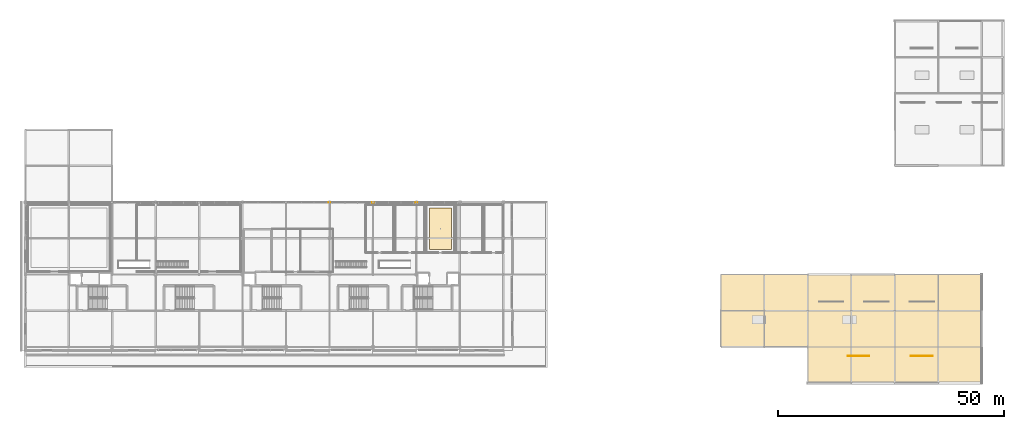
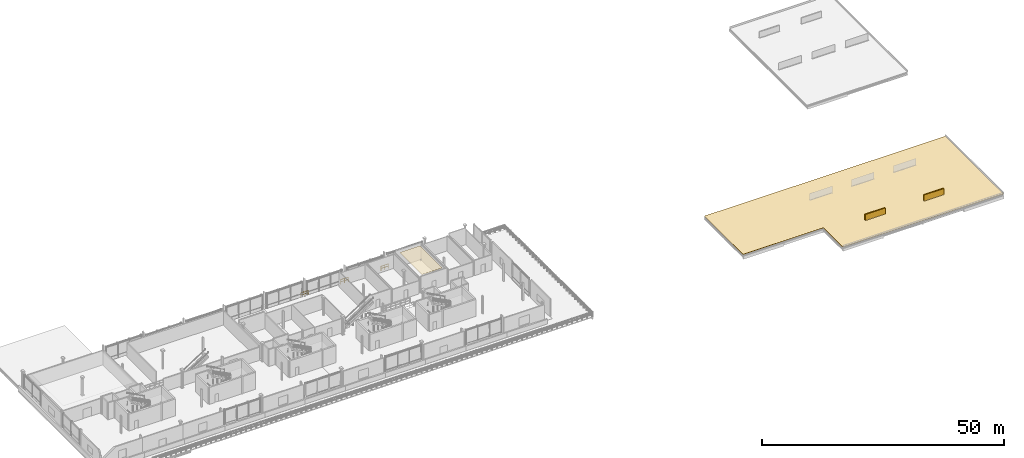
# One storey, part 35 of 36: 3 railings, 2 coverings, 2 shading devices.
"""IFC4 building model written with IfcOpenShell, lengths in metres."""

from ifc_helpers import new_model, si_unit, direction, frame, origin, origin_2d, place, context, subcontext, project, spatial, polyline, rectangle, circle, outline, extrude, material, layer, layer_set, type_object, element, save


model = new_model("IFC4")

# Units and contexts
model_context = context("Model", 3, precision=1e-05, world=origin(), true_north=direction((0.0, 1.0)))
body_context = subcontext(model_context, "Body", "Model", "MODEL_VIEW")
ifc_project = project(units=[si_unit("LENGTHUNIT", "METRE"), si_unit("AREAUNIT", "SQUARE_METRE"), si_unit("VOLUMEUNIT", "CUBIC_METRE"), si_unit("PLANEANGLEUNIT", "RADIAN"), si_unit("MASSUNIT", "GRAM", prefix="KILO")], contexts=[model_context])

# Site, building, storey
site_placement = place(None, origin())
site = spatial("IfcSite", under=ifc_project, at=site_placement, CompositionType="ELEMENT")
building_placement = place(site_placement, origin())
building = spatial("IfcBuilding", under=site, at=building_placement, Name="Danafjord Basin Convention Centre", CompositionType="ELEMENT")
storey_placement = place(building_placement, frame((0.0, 0.0, 20.39990234375)))
storey = spatial("IfcBuildingStorey", under=building, at=storey_placement, Name="L04", CompositionType="ELEMENT", Elevation=20.39990234375)

# Coverings
ifc_material_1 = material(Name="Acoustic mineral-fibre tile ceiling")
ifc_layer_1 = layer(ifc_material_1, 0.030029296875)
ifc_layer_set_1 = layer_set([ifc_layer_1], Name="Acoustic mineral-fibre tile ceiling")
covering_type_1 = type_object("IfcCoveringType", Name="COV-CLG-GYP01", PredefinedType="CEILING", material=ifc_layer_set_1)
covering_1_placement = place(storey_placement, frame((0.0, 0.0, 4.0)))
element("IfcCovering", 1, at=covering_1_placement, inside=storey, type_object=covering_type_1, Name="Ambassadors Conference Lounge acoustic ceiling", PredefinedType="CEILING", context=body_context, shape_type="SweptSolid", body=[
    extrude(outline(polyline([(94.10009765625, 38.699951171875), (94.10009765625, 29.5), (89.300048828125, 29.5), (89.300048828125, 38.699951171875), (94.10009765625, 38.699951171875)])), origin(), (0.0, 0.0, 1.0), 0.030029296875),
])
ifc_material_2 = material(Name="EPDM insulated roof membrane")
ifc_layer_2 = layer(ifc_material_2, 0.06005859375)
ifc_layer_set_2 = layer_set([ifc_layer_2], Name="EPDM insulated roof membrane")
covering_type_2 = type_object("IfcCoveringType", Name="COV-ROOF-EPDM", PredefinedType="ROOFING", material=ifc_layer_set_2)
covering_2_placement = place(storey_placement, frame((0.0, 0.0, -0.419921875)))
element("IfcCovering", 2, at=covering_2_placement, inside=storey, type_object=covering_type_2, Name="L04 roof membrane RF-FLAT-V5", PredefinedType="ROOFING", context=body_context, shape_type="SweptSolid", body=[
    extrude(outline(polyline([(153.60009765625, 8.0), (153.60009765625, 24.0), (211.199951171875, 24.0), (211.199951171875, 0.0), (172.800048828125, 0.0), (172.800048828125, 8.0), (153.60009765625, 8.0)])), origin(), (0.0, 0.0, 1.0), 0.06005859375),
])

# Railings
ifc_material_3 = material(Name="Laminated structural glass and stainless steel", Category="steel")
railing_type = type_object("IfcRailingType", Name="RL-BAL-GLS", PredefinedType="BALUSTRADE", material=ifc_material_3)
for number, where, name in (
    (3, (66.320068359375, 39.919921875, 0.0), "L04 safety guard balustrade 284"),
    (4, (75.919921875, 39.919921875, 0.0), "L04 safety guard balustrade 285"),
    (5, (85.52001953125, 39.919921875, 0.0), "L04 safety guard balustrade 286"),
):
    element("IfcRailing", number, at=place(storey_placement, frame(where)), inside=storey, type_object=railing_type, Name=name, PredefinedType="BALUSTRADE", context=body_context, shape_type="SweptSolid", body=[
        extrude(circle(Radius=0.02392578125, at=origin_2d()), frame((0.0, 0.0, 1.1259765625), z_axis=(1.0, 0.0, 0.0), x_axis=(0.0, 1.0, 0.0)), (0.0, 0.0, 1.0), 1.760009765625),
        extrude(circle(Radius=0.02392578125, at=origin_2d()), frame((0.0, 0.0, 0.55078125), z_axis=(1.0, 0.0, 0.0), x_axis=(0.0, 1.0, 0.0)), (0.0, 0.0, 1.0), 1.760009765625),
        extrude(circle(Radius=0.02099609375, at=origin_2d()), origin(), (0.0, 0.0, 1.0), 1.099853515625),
        extrude(circle(Radius=0.02099609375, at=origin_2d()), frame((0.8798828125, 0.0, 0.0)), (0.0, 0.0, 1.0), 1.099853515625),
        extrude(circle(Radius=0.02099609375, at=origin_2d()), frame((1.760009765625, 0.0, 0.0)), (0.0, 0.0, 1.0), 1.099853515625),
    ])

# Shading devices
ifc_material_4 = material(Name="Extruded anodised aluminium acoustic louvre", Category="aluminium")
shading_device_type = type_object("IfcShadingDeviceType", Name="SHD-LVR-A", PredefinedType="JALOUSIE", material=ifc_material_4)
for number, where, z_axis, x_axis, name in (
    (6, (184.0, 6.0, -0.419921875), (0.0, 0.0, 1.0), (1.0, 0.0, 0.0), "L04 acoustic plant intake louvre 5"),
    (7, (198.0, 6.0, -0.419921875), (0.0, 0.0, 1.0), (1.0, 0.0, 0.0), "L04 acoustic plant intake louvre 6"),
):
    element("IfcShadingDevice", number, at=place(storey_placement, frame(where, z_axis=z_axis, x_axis=x_axis)), inside=storey, type_object=shading_device_type, Name=name, PredefinedType="JALOUSIE", context=body_context, shape_type="SweptSolid", body=[
        extrude(rectangle(XDim=4.800048828125, YDim=0.219970703125, at=origin_2d()), origin(), (0.0, 0.0, 1.0), 1.60009765625),
    ])

save(model, "model.ifc")
